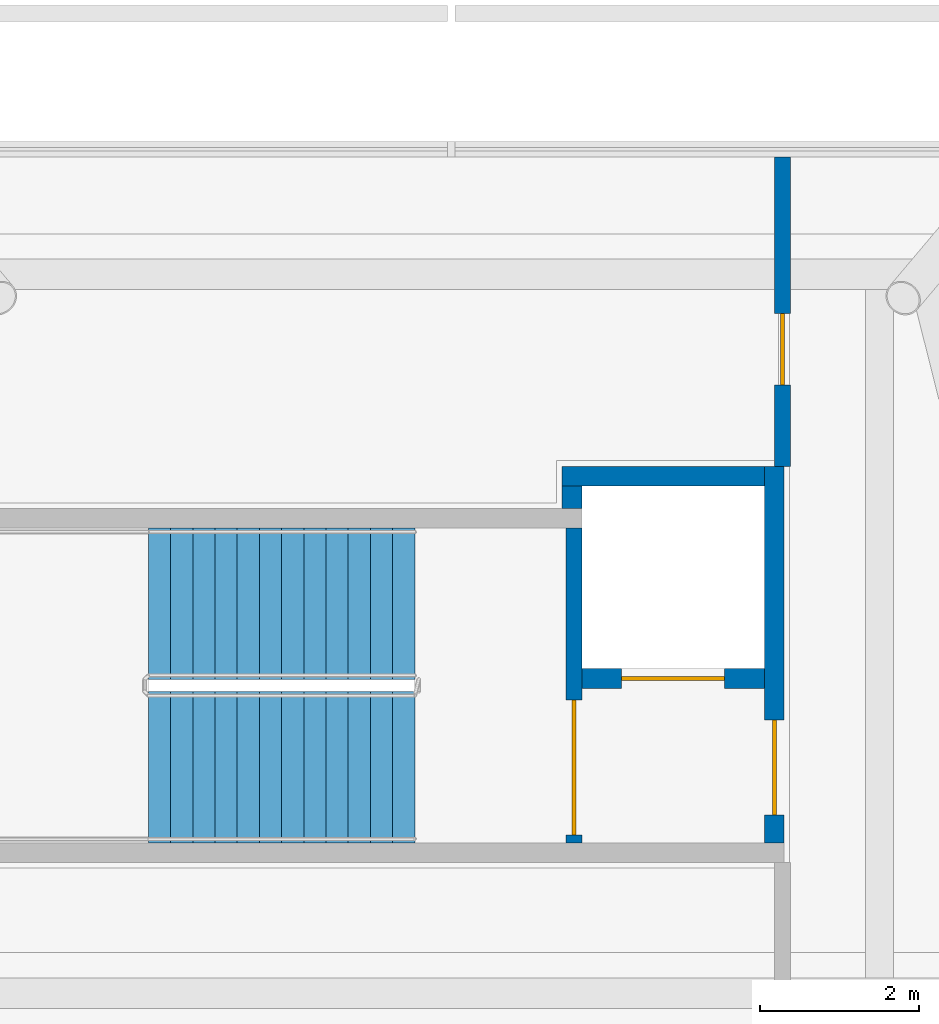
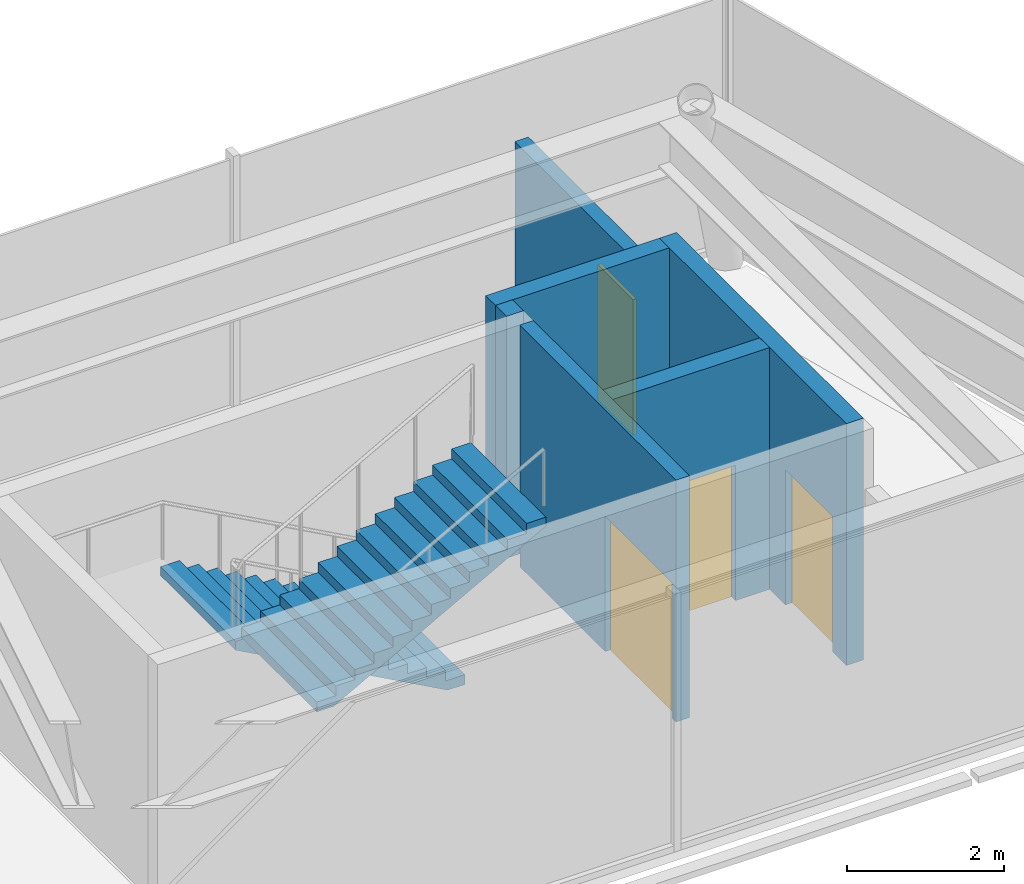
# One storey, part 2 of 3: 6 walls, 4 doors, 2 stair flights, 4 openings, 1 element without a shape of its own.
"""IFC4 building model written with IfcOpenShell, lengths in metres."""

from ifc_helpers import new_model, si_unit, direction, frame, frame_2d, origin, place, context, subcontext, project, spatial, polyline, rectangle, outline, extrude, material, layer, layer_set, type_object, element, fill, aggregate, save


model = new_model("IFC4")

# Units and contexts
model_context = context("Model", 3, precision=1e-05, world=origin(), true_north=direction((0.0, 1.0)))
body_context = subcontext(model_context, "Body", "Model", "MODEL_VIEW")
ifc_project = project(units=[si_unit("LENGTHUNIT", "METRE"), si_unit("AREAUNIT", "SQUARE_METRE"), si_unit("VOLUMEUNIT", "CUBIC_METRE"), si_unit("PLANEANGLEUNIT", "RADIAN"), si_unit("MASSUNIT", "GRAM", prefix="KILO")], contexts=[model_context])

# Site, building, storey
site_placement = place(None, origin())
site = spatial("IfcSite", under=ifc_project, at=site_placement, CompositionType="ELEMENT")
building_placement = place(site_placement, origin())
building = spatial("IfcBuilding", under=site, at=building_placement, Name="Quipu Civic Tower", CompositionType="ELEMENT")
storey_placement = place(building_placement, frame((0.0, 0.0, 384.0)))
storey = spatial("IfcBuildingStorey", under=building, at=storey_placement, Name="L89", CompositionType="ELEMENT", Elevation=384.0)

# Wall, opening, door
ifc_material_1 = material(Name="Fired clay blockwork", Category="masonry")
ifc_layer_1 = layer(ifc_material_1, 0.199951171875)
ifc_layer_set_1 = layer_set([ifc_layer_1], Name="Fired clay blockwork")
wall_type_1 = type_object("IfcWallType", Name="Blockwork wall 200", PredefinedType="SOLIDWALL", material=ifc_layer_set_1)
wall_1_placement = place(storey_placement, frame((4.179931640625, -1.449951171875, 0.0), z_axis=(0.0, 0.0, 1.0), x_axis=(0.0, 1.0, 0.0)))
wall_1 = element("IfcWall", 1, at=wall_1_placement, inside=storey, type_object=wall_type_1, Name="Partition P02", PredefinedType="SOLIDWALL", context=body_context, shape_type="SweptSolid", body=[
    extrude(rectangle(XDim=3.89990234375, YDim=0.199951171875, at=frame_2d((1.949951171875, 0.0))), origin(), (0.0, 0.0, 1.0), 2.838134765625),
])
opening_1_placement = place(wall_1_placement, frame((1.02490234375, 0.0, 0.0)))
opening_1 = element("IfcOpeningElement", 2, at=opening_1_placement, cuts=wall_1, Name="Opening D001", PredefinedType="OPENING", context=body_context, shape_type="SweptSolid", body=[
    extrude(rectangle(XDim=0.89990234375, YDim=2.10009765625, at=frame_2d((0.449951171875, 1.050048828125))), frame((0.0, 0.10986328125, 0.0), z_axis=(0.0, -1.0, 0.0), x_axis=(1.0, 0.0, 0.0)), (0.0, 0.0, 1.0), 0.219970703125),
])
ifc_material_2 = material(Name="Fire rated timber door set with metal frame", Category="wood")
door_type_1 = type_object("IfcDoorType", Name="Single door 900 x 2100 FD60", OperationType="NOTDEFINED", PredefinedType="DOOR", material=ifc_material_2)
door_1_placement = place(opening_1_placement, origin())
door_1 = element("IfcDoor", 3, at=door_1_placement, inside=storey, type_object=door_type_1, Name="Door D001", OperationType="SINGLE_SWING_RIGHT", OverallHeight=2.10009765625, OverallWidth=0.89990234375, PredefinedType="DOOR", context=body_context, shape_type="SweptSolid", body=[
    extrude(rectangle(XDim=0.89990234375, YDim=2.10009765625, at=frame_2d((0.449951171875, 1.050048828125))), frame((0.0, 0.02490234375, 0.0), z_axis=(0.0, -1.0, 0.0), x_axis=(1.0, 0.0, 0.0)), (0.0, 0.0, 1.0), 0.050048828125),
])
fill(opening_1, door_1)

ifc_material_3 = material(Name="Concrete C70/85", Category="concrete")
ifc_layer_2 = layer(ifc_material_3, 0.199951171875)
ifc_layer_set_2 = layer_set([ifc_layer_2], Name="Concrete C70/85")
wall_type_2 = type_object("IfcWallType", Name="Core wall 200", PredefinedType="SHEAR", material=ifc_layer_set_2)
wall_2_placement = place(storey_placement, frame((1.550048828125, -6.199951171875, 0.0), z_axis=(0.0, 0.0, 1.0), x_axis=(0.0, 1.0, 0.0)))
wall_2 = element("IfcWall", 4, at=wall_2_placement, inside=storey, type_object=wall_type_2, Name="Core wall", PredefinedType="SHEAR", context=body_context, shape_type="SweptSolid", body=[
    extrude(rectangle(XDim=3.969970703125, YDim=0.199951171875, at=frame_2d((1.98486328125, 0.0))), origin(), (0.0, 0.0, 1.0), 3.75),
])
opening_2_placement = place(wall_2_placement, frame((0.10009765625, 0.0, 0.0)))
opening_2 = element("IfcOpeningElement", 5, at=opening_2_placement, cuts=wall_2, Name="Opening CD-01", PredefinedType="OPENING", context=body_context, shape_type="SweptSolid", body=[
    extrude(rectangle(XDim=1.699951171875, YDim=2.10009765625, at=frame_2d((0.85009765625, 1.050048828125))), frame((0.0, 0.10986328125, 0.0), z_axis=(0.0, -1.0, 0.0), x_axis=(1.0, 0.0, 0.0)), (0.0, 0.0, 1.0), 0.219970703125),
])
ifc_material_4 = material(Name="Fire rated steel door", Category="steel")
door_type_2 = type_object("IfcDoorType", Name="Fire door FD90 double 1700 x 2100", OperationType="NOTDEFINED", PredefinedType="DOOR", material=ifc_material_4)
door_2_placement = place(opening_2_placement, origin())
door_2 = element("IfcDoor", 6, at=door_2_placement, inside=storey, type_object=door_type_2, Name="Door", OperationType="DOUBLE_DOOR_SINGLE_SWING", OverallHeight=2.10009765625, OverallWidth=1.699951171875, PredefinedType="DOOR", context=body_context, shape_type="SweptSolid", body=[
    extrude(rectangle(XDim=1.699951171875, YDim=2.10009765625, at=frame_2d((0.85009765625, 1.050048828125))), frame((0.0, 0.02490234375, 0.0), z_axis=(0.0, -1.0, 0.0), x_axis=(1.0, 0.0, 0.0)), (0.0, 0.0, 1.0), 0.050048828125),
])
fill(opening_2, door_2)

ifc_material_5 = material(Name="Concrete C70/85", Category="concrete")
ifc_layer_3 = layer(ifc_material_5, 0.25)
ifc_layer_set_3 = layer_set([ifc_layer_3], Name="Concrete C70/85")
wall_type_3 = type_object("IfcWallType", Name="Core wall 250", PredefinedType="SHEAR", material=ifc_layer_set_3)
wall_3_placement = place(storey_placement, frame((4.074951171875, -6.199951171875, 0.0), z_axis=(0.0, 0.0, 1.0), x_axis=(0.0, 1.0, 0.0)))
wall_3 = element("IfcWall", 7, at=wall_3_placement, inside=storey, type_object=wall_type_3, Name="Core wall", PredefinedType="SHEAR", context=body_context, shape_type="SweptSolid", body=[
    extrude(rectangle(XDim=4.75, YDim=0.25, at=frame_2d((2.375, 0.0))), origin(), (0.0, 0.0, 1.0), 3.75),
])
opening_3_placement = place(wall_3_placement, frame((0.35009765625, 0.0, 0.0)))
opening_3 = element("IfcOpeningElement", 8, at=opening_3_placement, cuts=wall_3, Name="Opening CD-02", PredefinedType="OPENING", context=body_context, shape_type="SweptSolid", body=[
    extrude(rectangle(XDim=1.199951171875, YDim=2.10009765625, at=frame_2d((0.60009765625, 1.050048828125))), frame((0.0, 0.135009765625, 0.0), z_axis=(0.0, -1.0, 0.0), x_axis=(1.0, 0.0, 0.0)), (0.0, 0.0, 1.0), 0.27001953125),
])
ifc_material_6 = material(Name="Fire rated steel door", Category="steel")
door_type_3 = type_object("IfcDoorType", Name="Fire door FD90 1200 x 2100", OperationType="NOTDEFINED", PredefinedType="DOOR", material=ifc_material_6)
door_3_placement = place(opening_3_placement, origin())
door_3 = element("IfcDoor", 9, at=door_3_placement, inside=storey, type_object=door_type_3, Name="Lobby door", OperationType="SINGLE_SWING_LEFT", OverallHeight=2.10009765625, OverallWidth=1.199951171875, PredefinedType="DOOR", context=body_context, shape_type="SweptSolid", body=[
    extrude(rectangle(XDim=1.199951171875, YDim=2.10009765625, at=frame_2d((0.60009765625, 1.050048828125))), frame((0.0, 0.02490234375, 0.0), z_axis=(0.0, -1.0, 0.0), x_axis=(1.0, 0.0, 0.0)), (0.0, 0.0, 1.0), 0.050048828125),
])
fill(opening_3, door_3)

wall_4_placement = place(storey_placement, frame((1.64990234375, -4.125, 0.0), z_axis=(0.0, 0.0, 1.0), x_axis=(1.0, 0.0, 0.0)))
wall_4 = element("IfcWall", 10, at=wall_4_placement, inside=storey, type_object=wall_type_3, Name="Core wall", PredefinedType="SHEAR", context=body_context, shape_type="SweptSolid", body=[
    extrude(rectangle(XDim=2.300048828125, YDim=0.25, at=frame_2d((1.14990234375, 0.0))), origin(), (0.0, 0.0, 1.0), 3.75),
])
opening_4_placement = place(wall_4_placement, frame((0.5, 0.0, 0.0)))
opening_4 = element("IfcOpeningElement", 11, at=opening_4_placement, cuts=wall_4, Name="Opening LD-FF3", PredefinedType="OPENING", context=body_context, shape_type="SweptSolid", body=[
    extrude(rectangle(XDim=1.300048828125, YDim=2.10009765625, at=frame_2d((0.64990234375, 1.050048828125))), frame((0.0, 0.135009765625, 0.0), z_axis=(0.0, -1.0, 0.0), x_axis=(1.0, 0.0, 0.0)), (0.0, 0.0, 1.0), 0.27001953125),
])
ifc_material_7 = material(Name="Stainless steel", Category="steel")
door_type_4 = type_object("IfcDoorType", Name="Lift landing door 1300 x 2100", OperationType="DOUBLE_DOOR_SLIDING", PredefinedType="DOOR", material=ifc_material_7)
door_4_placement = place(opening_4_placement, origin())
door_4 = element("IfcDoor", 12, at=door_4_placement, inside=storey, type_object=door_type_4, Name="Landing door FF3", OperationType="DOUBLE_DOOR_SLIDING", OverallHeight=2.10009765625, OverallWidth=1.300048828125, PredefinedType="DOOR", context=body_context, shape_type="SweptSolid", body=[
    extrude(rectangle(XDim=1.300048828125, YDim=2.10009765625, at=frame_2d((0.64990234375, 1.050048828125))), frame((0.0, 0.02490234375, 0.0), z_axis=(0.0, -1.0, 0.0), x_axis=(1.0, 0.0, 0.0)), (0.0, 0.0, 1.0), 0.050048828125),
])
fill(opening_4, door_4)

# Walls
wall_5_placement = place(storey_placement, frame((1.52490234375, -1.97998046875, 0.0), z_axis=(0.0, 0.0, 1.0), x_axis=(0.0, 1.0, 0.0)))
element("IfcWall", 13, at=wall_5_placement, inside=storey, type_object=wall_type_3, Name="Core wall", PredefinedType="SHEAR", context=body_context, shape_type="SweptSolid", body=[
    extrude(rectangle(XDim=0.280029296875, YDim=0.25, at=frame_2d((0.14013671875, 0.0))), origin(), (0.0, 0.0, 1.0), 3.75),
])
wall_6_placement = place(storey_placement, frame((1.39990234375, -1.574951171875, 0.0), z_axis=(0.0, 0.0, 1.0), x_axis=(1.0, 0.0, 0.0)))
element("IfcWall", 14, at=wall_6_placement, inside=storey, type_object=wall_type_3, Name="Core wall", PredefinedType="SHEAR", context=body_context, shape_type="SweptSolid", body=[
    extrude(rectangle(XDim=2.550048828125, YDim=0.25, at=frame_2d((1.27490234375, 0.0))), origin(), (0.0, 0.0, 1.0), 3.75),
])

# Stair, stair flights
ifc_material_8 = material(Name="Concrete C40/50", Category="concrete")
stair_type = type_object("IfcStairType", Name="Half turn stair 1910", PredefinedType="HALF_TURN_STAIR", material=ifc_material_8)
stair_placement = place(storey_placement, origin())
stair = element("IfcStair", 15, at=stair_placement, inside=storey, type_object=stair_type, Name="Crown access stair", PredefinedType="HALF_TURN_STAIR")
ifc_material_9 = material(Name="Concrete C40/50", Category="concrete")
stair_flight_type = type_object("IfcStairFlightType", Name="Stair flight 1910", PredefinedType="STRAIGHT", material=ifc_material_9)
stair_flight_1_placement = place(storey_placement, frame((-0.4599609375, -3.18505859375, 0.0), z_axis=(0.0, 0.0, 1.0), x_axis=(-1.0, 0.0, 0.0)))
stair_flight_1 = element("IfcStairFlight", 16, at=stair_flight_1_placement, type_object=stair_flight_type, Name="ST-5 flight 1", NumberOfRisers=13, NumberOfTreads=12, PredefinedType="STRAIGHT", RiserHeight=0.153846154, TreadLength=0.28, context=body_context, shape_type="SweptSolid", body=[
    extrude(outline(polyline([(0.0, 0.0), (0.0, 0.15380859375), (0.280029296875, 0.15380859375), (0.280029296875, 0.3076171875), (0.56005859375, 0.3076171875), (0.56005859375, 0.46142578125), (0.840087890625, 0.46142578125), (0.840087890625, 0.615478515625), (1.1201171875, 0.615478515625), (1.1201171875, 0.769287109375), (1.39990234375, 0.769287109375), (1.39990234375, 0.923095703125), (1.679931640625, 0.923095703125), (1.679931640625, 1.076904296875), (1.9599609375, 1.076904296875), (1.9599609375, 1.230712890625), (2.239990234375, 1.230712890625), (2.239990234375, 1.384521484375), (2.52001953125, 1.384521484375), (2.52001953125, 1.53857421875), (2.800048828125, 1.53857421875), (2.800048828125, 1.6923828125), (3.080078125, 1.6923828125), (3.080078125, 1.84619140625), (3.360107421875, 1.84619140625), (3.360107421875, 2.0), (3.360107421875, 1.708984375), (0.24951171875, 0.0), (0.0, 0.0)])), frame((0.0, 0.955078125, 0.0), z_axis=(0.0, -1.0, 0.0), x_axis=(1.0, 0.0, 0.0)), (0.0, 0.0, 1.0), 1.909912109375),
])
stair_flight_2_placement = place(storey_placement, frame((-3.820068359375, -5.2451171875, 2.0), z_axis=(0.0, 0.0, 1.0), x_axis=(1.0, 0.0, 0.0)))
stair_flight_2 = element("IfcStairFlight", 17, at=stair_flight_2_placement, type_object=stair_flight_type, Name="ST-5 flight 2", NumberOfRisers=13, NumberOfTreads=12, PredefinedType="STRAIGHT", RiserHeight=0.153846154, TreadLength=0.28, context=body_context, shape_type="SweptSolid", body=[
    extrude(outline(polyline([(0.0, 0.0), (0.0, 0.15380859375), (0.280029296875, 0.15380859375), (0.280029296875, 0.3076171875), (0.56005859375, 0.3076171875), (0.56005859375, 0.46142578125), (0.840087890625, 0.46142578125), (0.840087890625, 0.615478515625), (1.1201171875, 0.615478515625), (1.1201171875, 0.769287109375), (1.39990234375, 0.769287109375), (1.39990234375, 0.923095703125), (1.679931640625, 0.923095703125), (1.679931640625, 1.076904296875), (1.9599609375, 1.076904296875), (1.9599609375, 1.230712890625), (2.239990234375, 1.230712890625), (2.239990234375, 1.384521484375), (2.52001953125, 1.384521484375), (2.52001953125, 1.53857421875), (2.800048828125, 1.53857421875), (2.800048828125, 1.6923828125), (3.080078125, 1.6923828125), (3.080078125, 1.84619140625), (3.360107421875, 1.84619140625), (3.360107421875, 2.0), (3.360107421875, 1.708984375), (0.24951171875, 0.0), (0.0, 0.0)])), frame((0.0, 0.955078125, 0.0), z_axis=(0.0, -1.0, 0.0), x_axis=(1.0, 0.0, 0.0)), (0.0, 0.0, 1.0), 1.909912109375),
])
aggregate(stair, [stair_flight_1, stair_flight_2])

save(model, "model.ifc")
